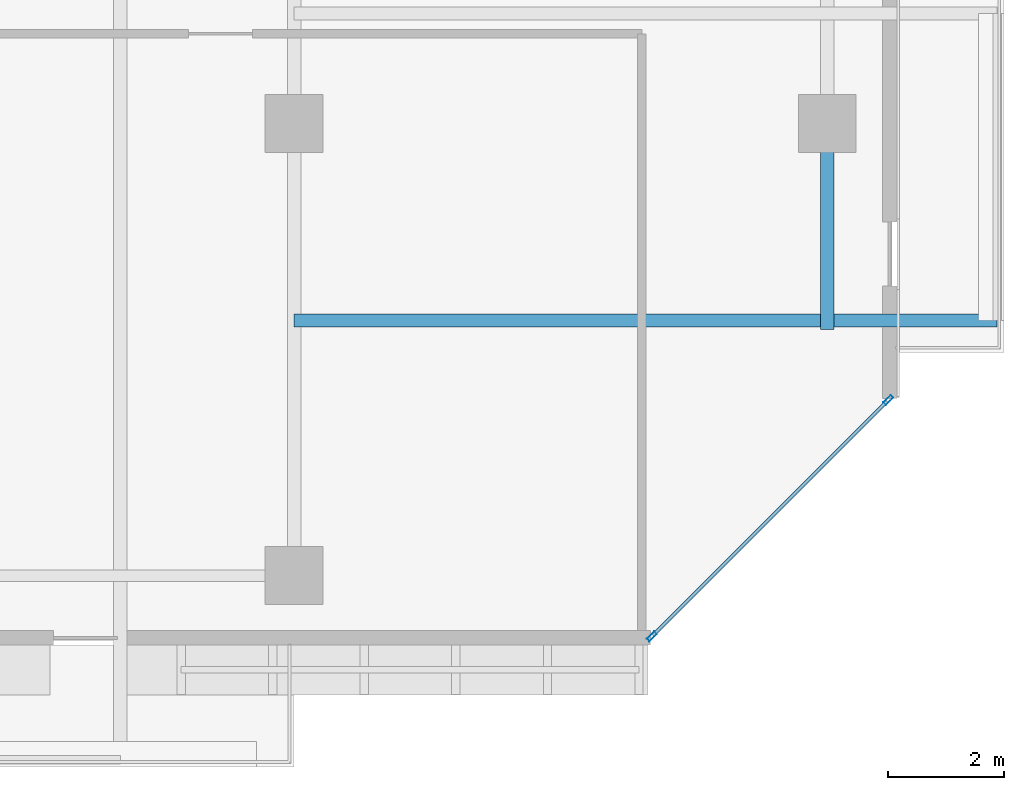
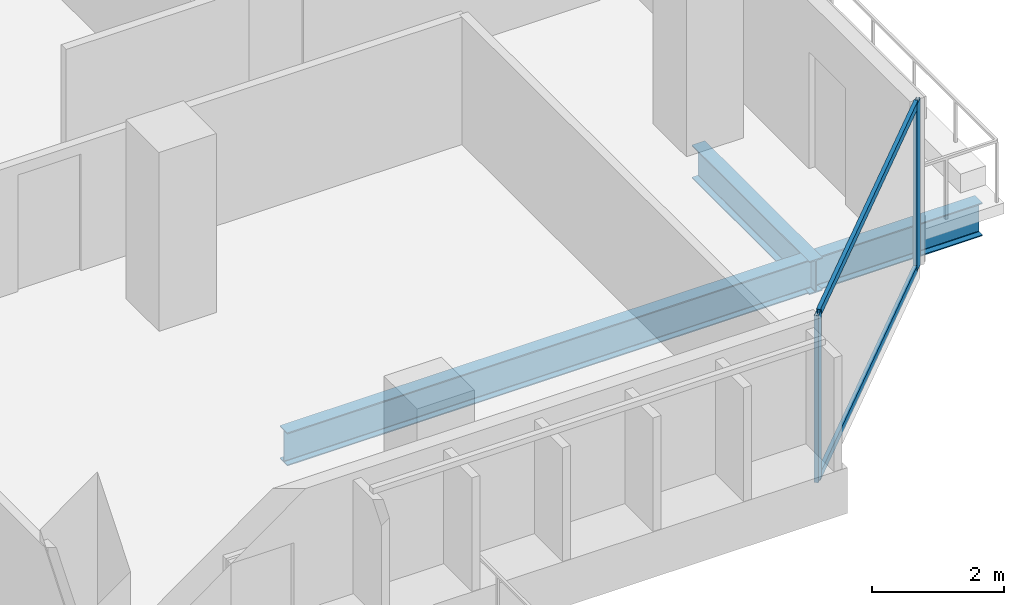
# One storey, part 15 of 33: 4 members, 2 beams, 1 element without a shape of its own.
"""IFC4 building model written with IfcOpenShell, lengths in metres."""

import ifcopenshell
import ifcopenshell.guid

model = None  # the IFC model being written
_history = None  # IfcOwnerHistory: only IFC2X3 demands one
_inside = {}  # id of a spatial element -> (the spatial element, [elements in it])
_under = {}  # id of a project, library or spatial element -> (it, [spatial elements below it])
_declared = {}  # id of a project -> (the project, [libraries it declares])
_typed = {}  # id of a type object -> (the type object, [elements of that type])
_made_of = {}  # id of a material, layer set ... -> (it, [elements and type objects made of it])


def new_model(schema):
    """Start an empty IFC model of exactly this schema.

    Asked for "IFC4X3", IfcOpenShell would pick the latest addendum, in which some entities
    have other attributes; the version numbers below select the first issue.
    IFC2X3 requires an IfcOwnerHistory on every rooted entity: one is made here for all.
    """
    global model, _history
    if schema == "IFC4X3":
        model = ifcopenshell.file(schema_version=(4, 3, 0, 0))
    else:
        model = ifcopenshell.file(schema=schema)
    _inside.clear()
    _under.clear()
    _declared.clear()
    _typed.clear()
    _made_of.clear()
    _history = None
    if model.schema == "IFC2X3":
        org = make("IfcOrganization", Name="unknown")
        user = make(
            "IfcPersonAndOrganization",
            ThePerson=make("IfcPerson", FamilyName="unknown"),
            TheOrganization=org,
        )
        app = make(
            "IfcApplication",
            ApplicationDeveloper=org,
            Version="unknown",
            ApplicationFullName="unknown",
            ApplicationIdentifier="unknown",
        )
        _history = make(
            "IfcOwnerHistory",
            OwningUser=user,
            OwningApplication=app,
            ChangeAction="ADDED",
            CreationDate=0,
        )
    return model


def make(cls, **values):
    """One entity of the class cls with the attributes given. An attribute that is None is left unset."""
    return model.create_entity(
        cls, **{name: value for name, value in values.items() if value is not None}
    )


def rooted(cls, **values):
    """An entity with a GlobalId (a new one), such as an element, a storey or a relation."""
    return make(cls, GlobalId=ifcopenshell.guid.new(), OwnerHistory=_history, **values)


def si_unit(unit_type, name, prefix=None):
    """IfcSIUnit, for example si_unit("LENGTHUNIT", "METRE", prefix="MILLI")."""
    return make("IfcSIUnit", UnitType=unit_type, Prefix=prefix, Name=name)


def assignment(units):
    """IfcUnitAssignment: the units of a project."""
    return None if units is None else make("IfcUnitAssignment", Units=units)


def point(xyz):
    """IfcCartesianPoint."""
    return None if xyz is None else make("IfcCartesianPoint", Coordinates=xyz)


def direction(xyz):
    """IfcDirection."""
    return None if xyz is None else make("IfcDirection", DirectionRatios=xyz)


def frame(location, z_axis=None, x_axis=None):
    """IfcAxis2Placement3D, a coordinate frame: its origin and axes. An axis left out is left unset."""
    return make(
        "IfcAxis2Placement3D",
        Location=point(location),
        Axis=direction(z_axis),
        RefDirection=direction(x_axis),
    )


def frame_2d(location, x_axis=None):
    """IfcAxis2Placement2D, a coordinate frame in the plane: its origin and x axis."""
    return make(
        "IfcAxis2Placement2D", Location=point(location), RefDirection=direction(x_axis)
    )


def origin():
    """The frame at (0, 0, 0) with its axes left unset."""
    return frame((0.0, 0.0, 0.0))


def origin_2d():
    """The frame at (0, 0) in the plane with its x axis left unset."""
    return frame_2d((0.0, 0.0))


def place(relative_to, where):
    """IfcLocalPlacement: puts the frame where relative to a parent placement (None: the world)."""
    return make(
        "IfcLocalPlacement", PlacementRelTo=relative_to, RelativePlacement=where
    )


def context(
    kind, dimensions, precision=None, world=None, true_north=None, identifier=None
):
    """IfcGeometricRepresentationContext, for example the 3D "Model" context."""
    return make(
        "IfcGeometricRepresentationContext",
        ContextIdentifier=identifier,
        ContextType=kind,
        CoordinateSpaceDimension=dimensions,
        Precision=precision,
        WorldCoordinateSystem=world,
        TrueNorth=true_north,
    )


def subcontext(parent, identifier, kind, view, scale=None):
    """IfcGeometricRepresentationSubContext, for example "Body" below "Model"."""
    return make(
        "IfcGeometricRepresentationSubContext",
        ContextIdentifier=identifier,
        ContextType=kind,
        ParentContext=parent,
        TargetScale=scale,
        TargetView=view,
    )


def project(units=None, contexts=None):
    """IfcProject with its units and contexts."""
    return rooted(
        "IfcProject",
        Name="project",
        RepresentationContexts=contexts,
        UnitsInContext=assignment(units),
    )


def spatial(cls, under=None, at=None, **own):
    """A site, building, storey or space (cls), placed at a placement, below another one or the project."""
    s = rooted(cls, ObjectPlacement=at, **own)
    if under is not None:
        _under.setdefault(under.id(), (under, []))[1].append(s)
    return s


def profile(cls, at=None, kind="AREA", **sizes):
    """A parametric profile (cls). Its sizes go by their IFC names, for example OverallWidth=200.0."""
    return make(cls, ProfileType=kind, Position=at, **sizes)


def hollow_rectangle(**sizes):
    """IfcRectangleHollowProfileDef."""
    return profile("IfcRectangleHollowProfileDef", **sizes)


def i_section(**sizes):
    """IfcIShapeProfileDef."""
    return profile("IfcIShapeProfileDef", **sizes)


def extrude(swept, where, along, depth):
    """IfcExtrudedAreaSolid: the profile swept, set in the frame where, extruded along a direction by depth."""
    return make(
        "IfcExtrudedAreaSolid",
        SweptArea=swept,
        Position=where,
        ExtrudedDirection=direction(along),
        Depth=depth,
    )


def shape(context_of_items, identifier, shape_type, items):
    """IfcShapeRepresentation: the items that make up one representation, for example the "Body"."""
    return make(
        "IfcShapeRepresentation",
        ContextOfItems=context_of_items,
        RepresentationIdentifier=identifier,
        RepresentationType=shape_type,
        Items=items,
    )


def material(Name=None, Category=None):
    """IfcMaterial."""
    return make("IfcMaterial", Name=Name, Category=Category)


def layer(
    of_material, thickness, ventilated=None, Name=None, Category=None, Priority=None
):
    """IfcMaterialLayer: one layer of a wall or slab, of a material (None: an air gap)."""
    return make(
        "IfcMaterialLayer",
        Material=of_material,
        LayerThickness=thickness,
        IsVentilated=ventilated,
        Name=Name,
        Category=Category,
        Priority=Priority,
    )


def layer_set(layers, Name=None):
    """IfcMaterialLayerSet."""
    return make("IfcMaterialLayerSet", MaterialLayers=layers, LayerSetName=Name)


def material_profile(
    of_material, cross_section, Name=None, Category=None, Priority=None
):
    """IfcMaterialProfile: a cross section and its material."""
    return make(
        "IfcMaterialProfile",
        Name=Name,
        Material=of_material,
        Profile=cross_section,
        Priority=Priority,
        Category=Category,
    )


def profile_set(profiles, Name=None, composite=None):
    """IfcMaterialProfileSet."""
    return make(
        "IfcMaterialProfileSet",
        Name=Name,
        MaterialProfiles=profiles,
        CompositeProfile=composite,
    )


def made_of(thing, what):
    """Note that an element or type object is made of a material, layer set ...; save() writes the relation."""
    if what is not None:
        _made_of.setdefault(what.id(), (what, []))[1].append(thing)
    return thing


def type_object(cls, material=None, **own):
    """A type object (cls), such as IfcWallType, which elements share."""
    return made_of(rooted(cls, **own), material)


def element(
    cls,
    number,
    at=None,
    inside=None,
    cuts=None,
    type_object=None,
    material=None,
    context=None,
    identifier="Body",
    shape_type=None,
    held_by="IfcProductDefinitionShape",
    body=None,
    shapes=None,
    **own,
):
    """One element of the class cls, such as IfcWall. Its Tag is "e" and its number.

    at: its placement. inside: the storey or other place that contains it. cuts: it is an
    opening in that element (IfcRelVoidsElement). A single representation is given by context,
    identifier, shape_type and body (its items); several are given by shapes. held_by: the class
    of the entity that holds the representations. save() writes the other relations.
    """
    e = rooted(cls, Tag="e%d" % number, ObjectPlacement=at, **own)
    if body is not None:
        shapes = [shape(context, identifier, shape_type, body)]
    if shapes is not None:
        e.Representation = make(held_by, Representations=shapes)
    if inside is not None:
        _inside.setdefault(inside.id(), (inside, []))[1].append(e)
    if cuts is not None:
        rooted(
            "IfcRelVoidsElement", RelatingBuildingElement=cuts, RelatedOpeningElement=e
        )
    if type_object is not None:
        _typed.setdefault(type_object.id(), (type_object, []))[1].append(e)
    return made_of(e, material)


def aggregate(whole, parts):
    """IfcRelAggregates: a whole, such as a stair, and the parts it consists of."""
    return rooted("IfcRelAggregates", RelatingObject=whole, RelatedObjects=parts)


def save(model, path):
    """Write the relations noted so far, then the file.

    IfcRelAggregates (storeys below a building ...), IfcRelContainedInSpatialStructure (elements
    in a storey), IfcRelDefinesByType, IfcRelAssociatesMaterial and IfcRelDeclares: one each for
    every whole, place, type object, material and project.
    """
    for whole, parts in _under.values():
        aggregate(whole, parts)
    for where, things in _inside.values():
        rooted(
            "IfcRelContainedInSpatialStructure",
            RelatedElements=things,
            RelatingStructure=where,
        )
    for kind, things in _typed.values():
        rooted("IfcRelDefinesByType", RelatedObjects=things, RelatingType=kind)
    for what, things in _made_of.values():
        rooted("IfcRelAssociatesMaterial", RelatedObjects=things, RelatingMaterial=what)
    for by, libraries in _declared.values():
        rooted("IfcRelDeclares", RelatingContext=by, RelatedDefinitions=libraries)
    model.write(path)


model = new_model("IFC4")

# Units and contexts
model_context = context("Model", 3, precision=1e-05, world=origin(), true_north=direction((0.0, 1.0)))
body_context = subcontext(model_context, "Body", "Model", "MODEL_VIEW")
ifc_project = project(units=[si_unit("LENGTHUNIT", "METRE"), si_unit("AREAUNIT", "SQUARE_METRE"), si_unit("VOLUMEUNIT", "CUBIC_METRE"), si_unit("PLANEANGLEUNIT", "RADIAN"), si_unit("MASSUNIT", "GRAM", prefix="KILO")], contexts=[model_context])

# Site, building, storey
site_placement = place(None, origin())
site = spatial("IfcSite", under=ifc_project, at=site_placement, CompositionType="ELEMENT")
building_placement = place(site_placement, origin())
building = spatial("IfcBuilding", under=site, at=building_placement, Name="Tanjung Sevakor Pilgrim Tower", CompositionType="ELEMENT")
storey_placement = place(building_placement, frame((0.0, 0.0, 95.3701171875)))
storey = spatial("IfcBuildingStorey", under=building, at=storey_placement, Name="L26", CompositionType="ELEMENT", Elevation=95.3701171875)

# Beams
ifc_material_1 = material(Name="Steel S355J2", Category="steel")
ifc_material_profile_1 = material_profile(ifc_material_1, i_section(OverallWidth=0.22900390625, OverallDepth=0.6123046875, WebThickness=0.011962890625, FlangeThickness=0.01953125, FilletRadius=0.0126953125, at=origin_2d()))
ifc_profile_set_1 = profile_set([ifc_material_profile_1], Name="Steel S355J2")
beam_type = type_object("IfcBeamType", Name="BM-B-G4-UB_610x229x125", PredefinedType="BEAM", material=ifc_profile_set_1)
beam_1_placement = place(storey_placement, frame((99.199951171875, 18.60009765625, -0.526123046875), z_axis=(0.0, -1.0, 0.0), x_axis=(1.0, 0.0, 0.0)))
element("IfcBeam", 1, at=beam_1_placement, inside=storey, type_object=beam_type, Name="L26 Short-End Edge Extension S-E", PredefinedType="BEAM", context=body_context, shape_type="SweptSolid", body=[
    extrude(i_section(OverallWidth=0.22900390625, OverallDepth=0.6123046875, WebThickness=0.011962890625, FlangeThickness=0.01953125, FilletRadius=0.0126953125, at=origin_2d()), origin(), (0.0, 0.0, 1.0), 3.550048828125),
])
beam_2_placement = place(storey_placement, frame((90.0, 15.199951171875, -0.526123046875), z_axis=(1.0, 0.0, 0.0), x_axis=(0.0, 1.0, 0.0)))
element("IfcBeam", 2, at=beam_2_placement, inside=storey, type_object=beam_type, Name="L26 Balcony Overhanging Beam MAIN-E1-1", PredefinedType="BEAM", context=body_context, shape_type="SweptSolid", body=[
    extrude(i_section(OverallWidth=0.22900390625, OverallDepth=0.6123046875, WebThickness=0.011962890625, FlangeThickness=0.01953125, FilletRadius=0.0126953125, at=origin_2d()), origin(), (0.0, 0.0, 1.0), 12.1298828125),
])

# Curtain wall, members
ifc_material_2 = material(Name="Aluminium 6063-T6 and Low-E Glass", Category="aluminium")
ifc_layer = layer(ifc_material_2, 0.179931640625)
ifc_layer_set = layer_set([ifc_layer], Name="CW-SYS-CHAM")
curtain_wall_type = type_object("IfcCurtainWallType", Name="CW-SYS-CHAM", PredefinedType="NOTDEFINED", material=ifc_layer_set)
curtain_wall_placement = place(storey_placement, origin())
curtain_wall = element("IfcCurtainWall", 3, at=curtain_wall_placement, inside=storey, type_object=curtain_wall_type, Name="L26 Curtain Wall CW-CHM-L26-MAIN-5", PredefinedType="NOTDEFINED")
ifc_material_3 = material(Name="Aluminium 6063-T6", Category="aluminium")
ifc_material_profile_2 = material_profile(ifc_material_3, hollow_rectangle(XDim=0.06494140625, YDim=0.179931640625, WallThickness=0.00390625, at=origin_2d()))
ifc_profile_set_2 = profile_set([ifc_material_profile_2], Name="Aluminium 6063-T6")
member_type_1 = type_object("IfcMemberType", Name="TYPE-CWM-1", PredefinedType="MULLION", material=ifc_profile_set_2)
member_1_placement = place(storey_placement, frame((96.171142578125, 9.748046875, 0.0), z_axis=(0.0, 0.0, 1.0), x_axis=(-0.707106781187, 0.707106781187, 0.0)))
member_1 = element("IfcMember", 4, at=member_1_placement, type_object=member_type_1, Name="CW-CHM mullion 1", PredefinedType="MULLION", context=body_context, shape_type="SweptSolid", body=[
    extrude(hollow_rectangle(XDim=0.06494140625, YDim=0.179931640625, WallThickness=0.00390625, at=origin_2d()), origin(), (0.0, 0.0, 1.0), 3.079833984375),
])
member_2_placement = place(storey_placement, frame((100.251953125, 13.828857421875, 0.0), z_axis=(0.0, 0.0, 1.0), x_axis=(-0.707106781187, 0.707106781187, 0.0)))
member_2 = element("IfcMember", 5, at=member_2_placement, type_object=member_type_1, Name="CW-CHM mullion 2", PredefinedType="MULLION", context=body_context, shape_type="SweptSolid", body=[
    extrude(hollow_rectangle(XDim=0.06494140625, YDim=0.179931640625, WallThickness=0.00390625, at=origin_2d()), origin(), (0.0, 0.0, 1.0), 3.079833984375),
])
ifc_material_4 = material(Name="Aluminium 6063-T6", Category="aluminium")
ifc_material_profile_3 = material_profile(ifc_material_4, hollow_rectangle(XDim=0.06494140625, YDim=0.139892578125, WallThickness=0.00390625, at=origin_2d()))
ifc_profile_set_3 = profile_set([ifc_material_profile_3], Name="Aluminium 6063-T6")
member_type_2 = type_object("IfcMemberType", Name="TYPE-CWT-1", PredefinedType="USERDEFINED", material=ifc_profile_set_3)
member_3_placement = place(storey_placement, frame((96.194091796875, 9.77099609375, 0.032470703125), z_axis=(0.707106781187, 0.707106781187, 0.0), x_axis=(-0.707106781187, 0.707106781187, 0.0)))
member_3 = element("IfcMember", 6, at=member_3_placement, type_object=member_type_2, Name="CW-CHM transom 1.1", ObjectType="TRANSOM", PredefinedType="USERDEFINED", context=body_context, shape_type="SweptSolid", body=[
    extrude(hollow_rectangle(XDim=0.06494140625, YDim=0.139892578125, WallThickness=0.00390625, at=origin_2d()), origin(), (0.0, 0.0, 1.0), 5.706298828125),
])
member_4_placement = place(storey_placement, frame((96.194091796875, 9.77099609375, 3.04736328125), z_axis=(0.707106781187, 0.707106781187, 0.0), x_axis=(-0.707106781187, 0.707106781187, 0.0)))
member_4 = element("IfcMember", 7, at=member_4_placement, type_object=member_type_2, Name="CW-CHM transom 1.2", ObjectType="TRANSOM", PredefinedType="USERDEFINED", context=body_context, shape_type="SweptSolid", body=[
    extrude(hollow_rectangle(XDim=0.06494140625, YDim=0.139892578125, WallThickness=0.00390625, at=origin_2d()), origin(), (0.0, 0.0, 1.0), 5.706298828125),
])
aggregate(curtain_wall, [member_1, member_2, member_3, member_4])

save(model, "model.ifc")
